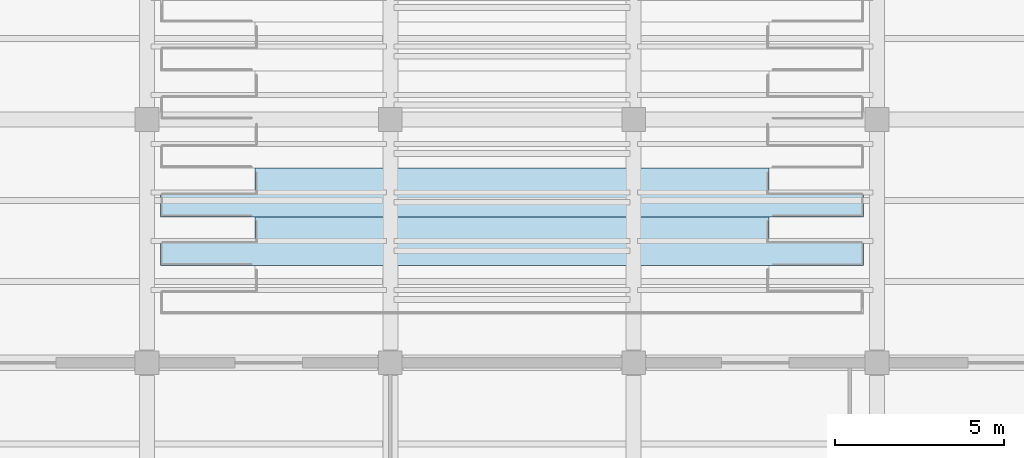
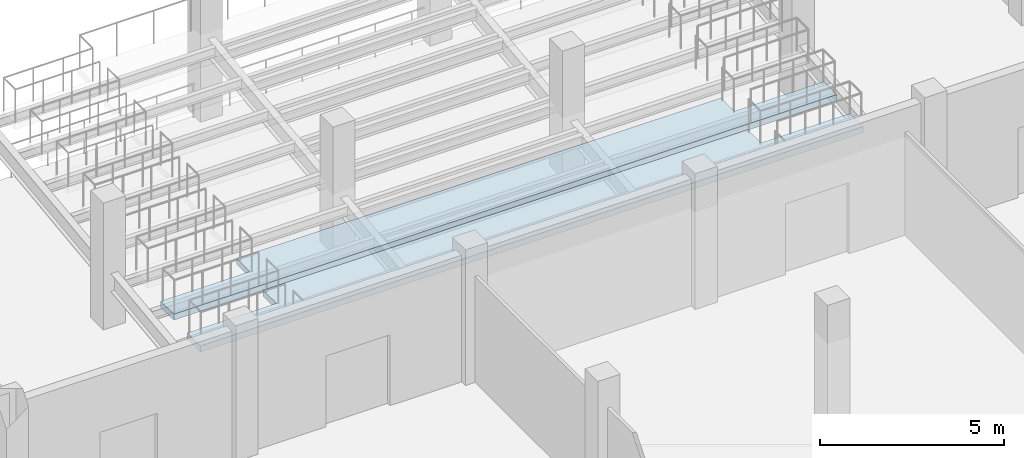
# One storey, part 83 of 108: 2 slabs.
"""IFC4 building model written with IfcOpenShell, lengths in metres."""

from ifc_helpers import new_model, si_unit, direction, frame, origin, place, context, subcontext, project, spatial, polyline, outline, extrude, material, layer, layer_set, type_object, element, save


model = new_model("IFC4")

# Units and contexts
model_context = context("Model", 3, precision=1e-05, world=origin(), true_north=direction((0.0, 1.0)))
body_context = subcontext(model_context, "Body", "Model", "MODEL_VIEW")
ifc_project = project(units=[si_unit("LENGTHUNIT", "METRE"), si_unit("AREAUNIT", "SQUARE_METRE"), si_unit("VOLUMEUNIT", "CUBIC_METRE"), si_unit("PLANEANGLEUNIT", "RADIAN"), si_unit("MASSUNIT", "GRAM", prefix="KILO"), si_unit("THERMODYNAMICTEMPERATUREUNIT", "KELVIN"), si_unit("POWERUNIT", "WATT")], contexts=[model_context])

# Site, building, storey
site_placement = place(None, origin())
site = spatial("IfcSite", under=ifc_project, at=site_placement, CompositionType="ELEMENT")
building_placement = place(site_placement, origin())
building = spatial("IfcBuilding", under=site, at=building_placement, Name="Kaldorven Railside Theatre", CompositionType="ELEMENT")
storey_placement = place(building_placement, frame((0.0, 0.0, 5.39990234375)))
storey = spatial("IfcBuildingStorey", under=building, at=storey_placement, Name="L01", CompositionType="ELEMENT", Elevation=5.39990234375)

# Slabs
ifc_material = material(Name="Concrete C35/45", Category="concrete")
ifc_layer = layer(ifc_material, 0.199951171875, Name="Concrete C35/45")
ifc_layer_set = layer_set([ifc_layer], Name="Concrete C35/45")
slab_type = type_object("IfcSlabType", Name="SLB-TIER-200", PredefinedType="USERDEFINED", material=ifc_layer_set)
slab_1_placement = place(storey_placement, frame((0.0, 0.0, 1.41015625)))
element("IfcSlab", 1, at=slab_1_placement, inside=storey, type_object=slab_type, Name="V1D Seating Tier 03", ObjectType="SEATING TIER", PredefinedType="USERDEFINED", context=body_context, shape_type="SweptSolid", body=[
    extrude(outline(polyline([(94.800048828125, 43.679931640625), (115.60009765625, 43.679931640625), (115.60009765625, 44.39990234375), (112.800048828125, 44.39990234375), (112.800048828125, 45.1201171875), (97.60009765625, 45.1201171875), (97.60009765625, 44.39990234375), (94.800048828125, 44.39990234375), (94.800048828125, 43.679931640625)])), origin(), (0.0, 0.0, 1.0), 0.199951171875),
])
slab_2_placement = place(storey_placement, frame((0.0, 0.0, 1.590087890625)))
element("IfcSlab", 2, at=slab_2_placement, inside=storey, type_object=slab_type, Name="V1D Seating Tier 04", ObjectType="SEATING TIER", PredefinedType="USERDEFINED", context=body_context, shape_type="SweptSolid", body=[
    extrude(outline(polyline([(94.800048828125, 45.1201171875), (115.60009765625, 45.1201171875), (115.60009765625, 45.840087890625), (112.800048828125, 45.840087890625), (112.800048828125, 46.56005859375), (97.60009765625, 46.56005859375), (97.60009765625, 45.840087890625), (94.800048828125, 45.840087890625), (94.800048828125, 45.1201171875)])), origin(), (0.0, 0.0, 1.0), 0.199951171875),
])

save(model, "model.ifc")
